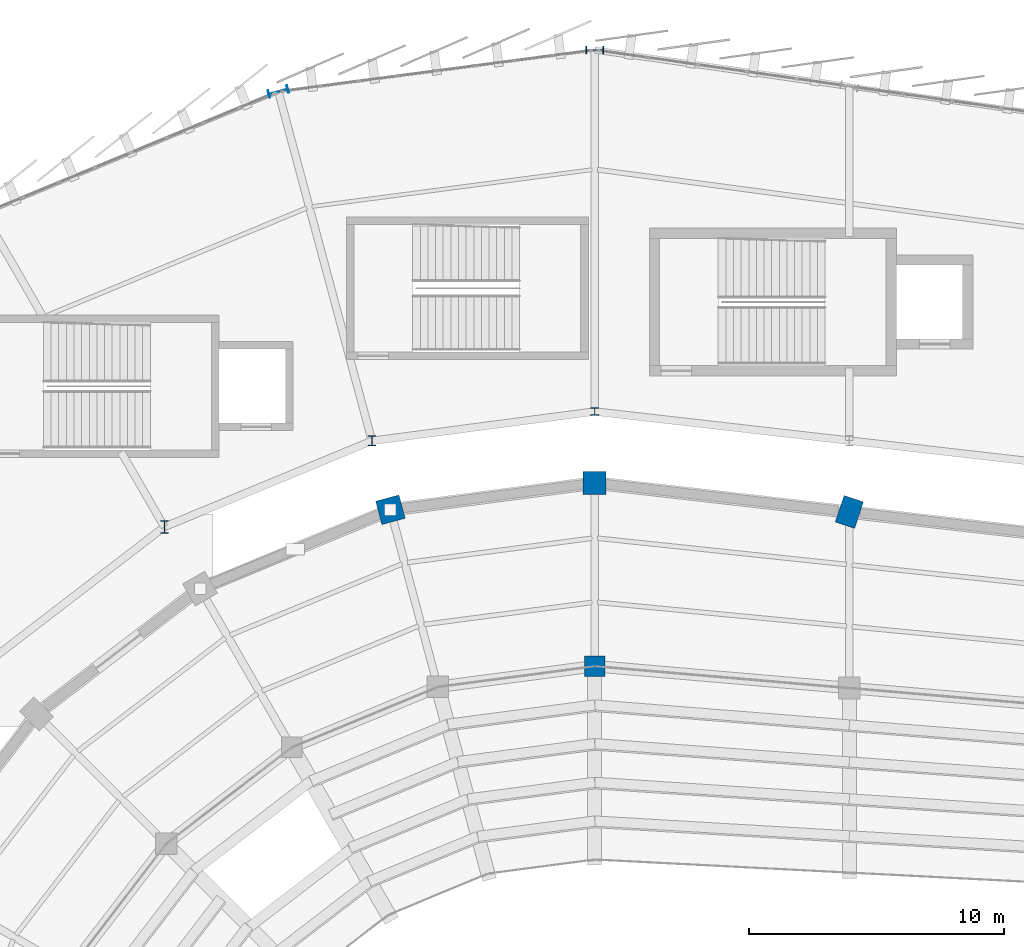
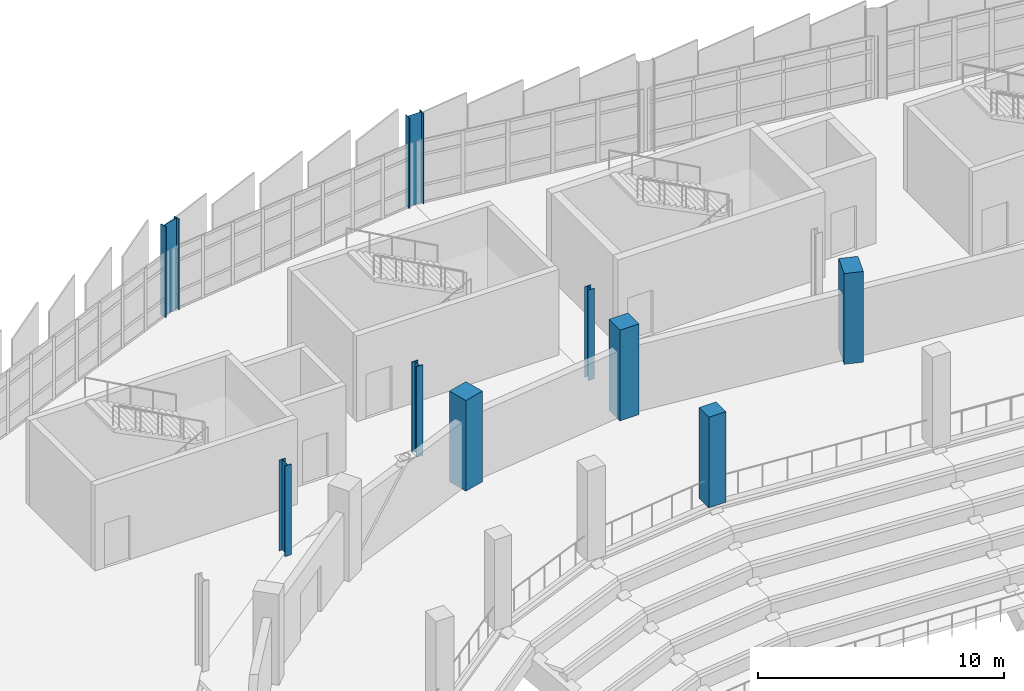
# One storey, part 15 of 134: 9 columns.
"""IFC4 building model written with IfcOpenShell, lengths in metres."""

from ifc_helpers import new_model, si_unit, direction, frame, origin, origin_2d, place, context, subcontext, project, spatial, rectangle, i_section, extrude, material, material_profile, profile_set, type_object, element, save


model = new_model("IFC4")

# Units and contexts
model_context = context("Model", 3, precision=1e-05, world=origin(), true_north=direction((0.0, 1.0)))
body_context = subcontext(model_context, "Body", "Model", "MODEL_VIEW")
ifc_project = project(units=[si_unit("LENGTHUNIT", "METRE"), si_unit("AREAUNIT", "SQUARE_METRE"), si_unit("VOLUMEUNIT", "CUBIC_METRE"), si_unit("PLANEANGLEUNIT", "RADIAN"), si_unit("MASSUNIT", "GRAM", prefix="KILO")], contexts=[model_context])

# Site, building, storey
site_placement = place(None, origin())
site = spatial("IfcSite", under=ifc_project, at=site_placement, CompositionType="ELEMENT")
building_placement = place(site_placement, origin())
building = spatial("IfcBuilding", under=site, at=building_placement, Name="Sohan Crest Arena", CompositionType="ELEMENT")
storey_placement = place(building_placement, frame((0.0, 0.0, 4.5)))
storey = spatial("IfcBuildingStorey", under=building, at=storey_placement, Name="L01", CompositionType="ELEMENT", Elevation=4.5)

# Columns
ifc_material_1 = material(Name="Concrete C40/50", Category="concrete")
ifc_material_profile_1 = material_profile(ifc_material_1, rectangle(XDim=0.800048828125, YDim=0.800048828125, at=origin_2d()), Name="RC 800x800")
ifc_profile_set_1 = profile_set([ifc_material_profile_1], Name="Concrete C40/50")
column_type_1 = type_object("IfcColumnType", Name="STR-COL-C05", PredefinedType="COLUMN", material=ifc_profile_set_1)
column_1_placement = place(storey_placement, frame((98.0, 101.800048828125, 0.0), z_axis=(0.0, 0.0, 1.0), x_axis=(1.0, 0.0, 0.0)))
element("IfcColumn", 1, at=column_1_placement, inside=storey, type_object=column_type_1, Name="Structural column COL-V1M-01-L01", PredefinedType="COLUMN", context=body_context, shape_type="SweptSolid", body=[
    extrude(rectangle(XDim=0.800048828125, YDim=0.800048828125, at=origin_2d()), origin(), (0.0, 0.0, 1.0), 4.5),
])
ifc_material_profile_2 = material_profile(ifc_material_1, rectangle(XDim=0.89990234375, YDim=0.89990234375, at=origin_2d()), Name="RC 900x900")
ifc_profile_set_2 = profile_set([ifc_material_profile_2], Name="Concrete C40/50")
column_type_2 = type_object("IfcColumnType", Name="STR-COL-C07", PredefinedType="COLUMN", material=ifc_profile_set_2)
column_2_placement = place(storey_placement, frame((98.0, 109.0, 0.0), z_axis=(0.0, 0.0, 1.0), x_axis=(0.0, 1.0, 0.0)))
element("IfcColumn", 2, at=column_2_placement, inside=storey, type_object=column_type_2, Name="Structural column COL-V1R-01-L01", PredefinedType="COLUMN", context=body_context, shape_type="SweptSolid", body=[
    extrude(rectangle(XDim=0.89990234375, YDim=0.89990234375, at=origin_2d()), origin(), (0.0, 0.0, 1.0), 4.5),
])
ifc_material_profile_3 = material_profile(ifc_material_1, rectangle(XDim=0.949951171875, YDim=0.949951171875, at=origin_2d()), Name="RC 950x950")
ifc_profile_set_3 = profile_set([ifc_material_profile_3], Name="Concrete C40/50")
column_type_3 = type_object("IfcColumnType", Name="STR-COL-C08", PredefinedType="COLUMN", material=ifc_profile_set_3)
column_3_placement = place(storey_placement, frame((89.97705078125, 107.944091796875, 0.0), z_axis=(0.0, 0.0, 1.0), x_axis=(-0.258819045103, 0.965925826289, 0.0)))
element("IfcColumn", 3, at=column_3_placement, inside=storey, type_object=column_type_3, Name="Structural column COL-V1R-02-L01", PredefinedType="COLUMN", context=body_context, shape_type="SweptSolid", body=[
    extrude(rectangle(XDim=0.949951171875, YDim=0.949951171875, at=origin_2d()), origin(), (0.0, 0.0, 1.0), 4.5),
])
ifc_material_profile_4 = material_profile(ifc_material_1, rectangle(XDim=1.10009765625, YDim=0.800048828125, at=origin_2d()), Name="RC 1100x800")
ifc_profile_set_4 = profile_set([ifc_material_profile_4], Name="Concrete C40/50")
column_type_4 = type_object("IfcColumnType", Name="STR-COL-C10", PredefinedType="COLUMN", material=ifc_profile_set_4)
column_4_placement = place(storey_placement, frame((108.0, 107.85693359375, 0.0), z_axis=(0.0, 0.0, 1.0), x_axis=(0.317304656405, 0.948323655206, 0.0)))
element("IfcColumn", 4, at=column_4_placement, inside=storey, type_object=column_type_4, Name="Structural column COL-V1R-34-L01", PredefinedType="COLUMN", context=body_context, shape_type="SweptSolid", body=[
    extrude(rectangle(XDim=1.10009765625, YDim=0.800048828125, at=origin_2d()), origin(), (0.0, 0.0, 1.0), 4.5),
])
ifc_material_2 = material(Name="Steel S355", Category="steel")
ifc_material_profile_5 = material_profile(ifc_material_2, i_section(OverallWidth=0.300048828125, OverallDepth=0.300048828125, WebThickness=0.010986328125, FlangeThickness=0.01904296875, at=origin_2d()), Name="HEB 300")
ifc_profile_set_5 = profile_set([ifc_material_profile_5], Name="Steel S355")
column_type_5 = type_object("IfcColumnType", Name="STR-COL-C17", PredefinedType="COLUMN", material=ifc_profile_set_5)
column_5_placement = place(storey_placement, frame((98.0, 111.800048828125, 0.0), z_axis=(0.0, 0.0, 1.0), x_axis=(1.0, 0.0, 0.0)))
element("IfcColumn", 5, at=column_5_placement, inside=storey, type_object=column_type_5, Name="Structural column COL-V2I-01-L01", PredefinedType="COLUMN", context=body_context, shape_type="SweptSolid", body=[
    extrude(i_section(OverallWidth=0.300048828125, OverallDepth=0.300048828125, WebThickness=0.010986328125, FlangeThickness=0.01904296875, at=origin_2d()), origin(), (0.0, 0.0, 1.0), 4.5),
])
ifc_material_profile_6 = material_profile(ifc_material_2, i_section(OverallWidth=0.300048828125, OverallDepth=0.39990234375, WebThickness=0.013427734375, FlangeThickness=0.02392578125, at=origin_2d()), Name="HEB 400")
ifc_profile_set_6 = profile_set([ifc_material_profile_6], Name="Steel S355")
column_type_6 = type_object("IfcColumnType", Name="STR-COL-C18", PredefinedType="COLUMN", material=ifc_profile_set_6)
column_6_placement = place(storey_placement, frame((89.251953125, 110.64794921875, 0.0), z_axis=(0.0, 0.0, 1.0), x_axis=(1.0, 0.0, 0.0)))
element("IfcColumn", 6, at=column_6_placement, inside=storey, type_object=column_type_6, Name="Structural column COL-V2I-02-L01", PredefinedType="COLUMN", context=body_context, shape_type="SweptSolid", body=[
    extrude(i_section(OverallWidth=0.300048828125, OverallDepth=0.39990234375, WebThickness=0.013427734375, FlangeThickness=0.02392578125, at=origin_2d()), origin(), (0.0, 0.0, 1.0), 4.5),
])
ifc_material_profile_7 = material_profile(ifc_material_2, i_section(OverallWidth=0.300048828125, OverallDepth=0.5, WebThickness=0.014404296875, FlangeThickness=0.028076171875, at=origin_2d()), Name="HEB 500")
ifc_profile_set_7 = profile_set([ifc_material_profile_7], Name="Steel S355")
column_type_7 = type_object("IfcColumnType", Name="STR-COL-C19", PredefinedType="COLUMN", material=ifc_profile_set_7)
column_7_placement = place(storey_placement, frame((81.10009765625, 107.27197265625, 0.0), z_axis=(0.0, 0.0, 1.0), x_axis=(1.0, 0.0, 0.0)))
element("IfcColumn", 7, at=column_7_placement, inside=storey, type_object=column_type_7, Name="Structural column COL-V2I-03-L01", PredefinedType="COLUMN", context=body_context, shape_type="SweptSolid", body=[
    extrude(i_section(OverallWidth=0.300048828125, OverallDepth=0.5, WebThickness=0.014404296875, FlangeThickness=0.028076171875, at=origin_2d()), origin(), (0.0, 0.0, 1.0), 4.5),
])
ifc_material_profile_8 = material_profile(ifc_material_2, i_section(OverallWidth=0.300048828125, OverallDepth=0.699951171875, WebThickness=0.01708984375, FlangeThickness=0.031982421875, at=origin_2d()), Name="HEB 700")
ifc_profile_set_8 = profile_set([ifc_material_profile_8], Name="Steel S355")
column_type_8 = type_object("IfcColumnType", Name="STR-COL-C21", PredefinedType="COLUMN", material=ifc_profile_set_8)
column_8_placement = place(storey_placement, frame((98.0, 126.0, 0.0), z_axis=(0.0, 0.0, 1.0), x_axis=(0.0, 1.0, 0.0)))
element("IfcColumn", 8, at=column_8_placement, inside=storey, type_object=column_type_8, Name="Structural column COL-V2O-01-L01", PredefinedType="COLUMN", context=body_context, shape_type="SweptSolid", body=[
    extrude(i_section(OverallWidth=0.300048828125, OverallDepth=0.699951171875, WebThickness=0.01708984375, FlangeThickness=0.031982421875, at=origin_2d()), origin(), (0.0, 0.0, 1.0), 4.5),
])
ifc_material_profile_9 = material_profile(ifc_material_2, i_section(OverallWidth=0.300048828125, OverallDepth=0.800048828125, WebThickness=0.017578125, FlangeThickness=0.032958984375, at=origin_2d()), Name="HEB 800")
ifc_profile_set_9 = profile_set([ifc_material_profile_9], Name="Steel S355")
column_type_9 = type_object("IfcColumnType", Name="STR-COL-C22", PredefinedType="COLUMN", material=ifc_profile_set_9)
column_9_placement = place(storey_placement, frame((85.576904296875, 124.364013671875, 0.0), z_axis=(0.0, 0.0, 1.0), x_axis=(-0.258819045103, 0.965925826289, 0.0)))
element("IfcColumn", 9, at=column_9_placement, inside=storey, type_object=column_type_9, Name="Structural column COL-V2O-02-L01", PredefinedType="COLUMN", context=body_context, shape_type="SweptSolid", body=[
    extrude(i_section(OverallWidth=0.300048828125, OverallDepth=0.800048828125, WebThickness=0.017578125, FlangeThickness=0.032958984375, at=origin_2d()), origin(), (0.0, 0.0, 1.0), 4.5),
])

save(model, "model.ifc")
